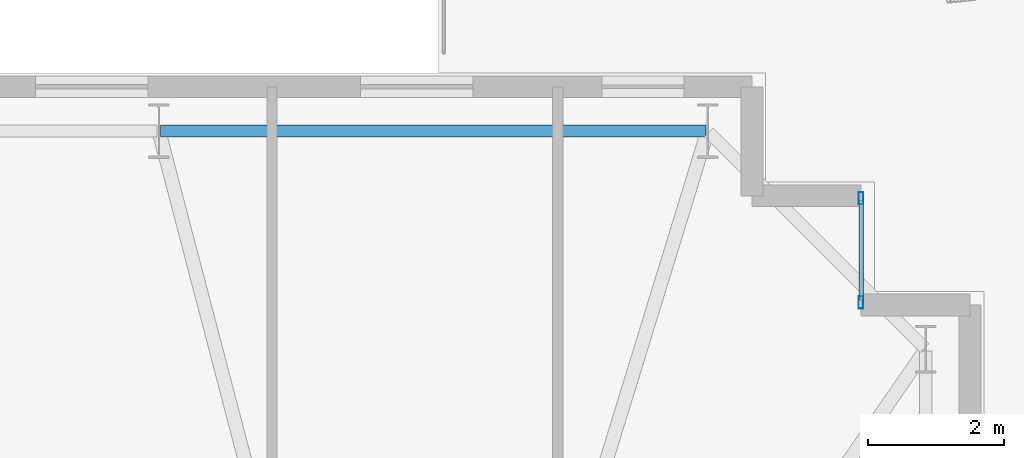
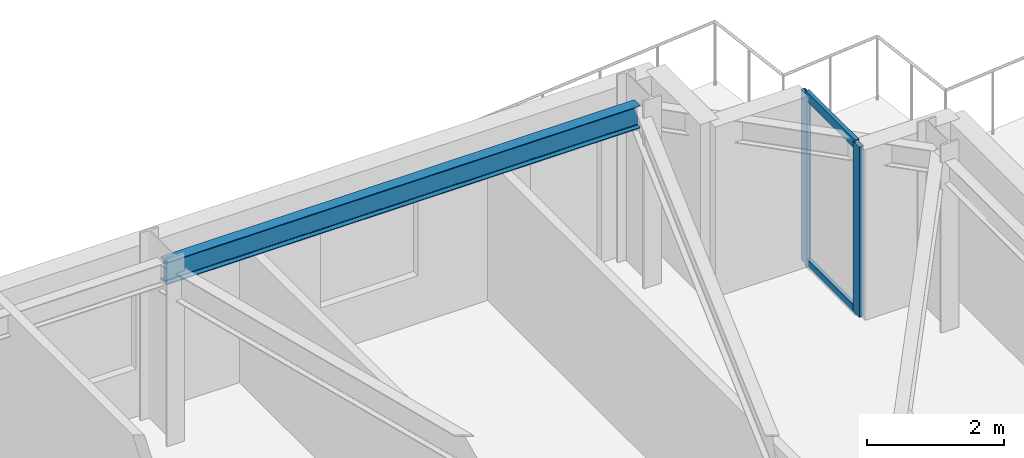
# One storey, part 9 of 19: 4 members, 1 beam, 1 element without a shape of its own.
"""IFC4 building model written with IfcOpenShell, lengths in metres."""

from ifc_helpers import new_model, si_unit, direction, frame, origin, origin_2d, place, context, subcontext, project, spatial, hollow_rectangle, i_section, extrude, material, layer, layer_set, material_profile, profile_set, type_object, element, aggregate, save


model = new_model("IFC4")

# Units and contexts
model_context = context("Model", 3, precision=1e-05, world=origin(), true_north=direction((0.0, 1.0)))
body_context = subcontext(model_context, "Body", "Model", "MODEL_VIEW")
ifc_project = project(units=[si_unit("LENGTHUNIT", "METRE"), si_unit("AREAUNIT", "SQUARE_METRE"), si_unit("VOLUMEUNIT", "CUBIC_METRE"), si_unit("PLANEANGLEUNIT", "RADIAN"), si_unit("MASSUNIT", "GRAM", prefix="KILO")], contexts=[model_context])

# Site, building, storey
site_placement = place(None, origin())
site = spatial("IfcSite", under=ifc_project, at=site_placement, CompositionType="ELEMENT")
building_placement = place(site_placement, origin())
building = spatial("IfcBuilding", under=site, at=building_placement, Name="Qobustan Lattice House", CompositionType="ELEMENT")
storey_placement = place(building_placement, frame((0.0, 0.0, 131.0)))
storey = spatial("IfcBuildingStorey", under=building, at=storey_placement, Name="L36", CompositionType="ELEMENT", Elevation=131.0)

# Beam
ifc_material_1 = material(Name="Steel S355", Category="steel")
ifc_material_profile_1 = material_profile(ifc_material_1, i_section(OverallWidth=0.179931640625, OverallDepth=0.39990234375, WebThickness=0.008544921875, FlangeThickness=0.013427734375, FilletRadius=0.02099609375, at=origin_2d()), Name="IPE400")
ifc_profile_set_1 = profile_set([ifc_material_profile_1], Name="Steel S355")
beam_type = type_object("IfcBeamType", Name="BM-SPD-IPE400", PredefinedType="SPANDREL", material=ifc_profile_set_1)
beam_placement = place(storey_placement, frame((23.125, 19.75, 2.840087890625), z_axis=(-1.0, 0.0, 0.0), x_axis=(0.0, -1.0, 0.0)))
element("IfcBeam", 1, at=beam_placement, inside=storey, type_object=beam_type, Name="L36 perimeter spandrel N1-N2", PredefinedType="SPANDREL", context=body_context, shape_type="SweptSolid", body=[
    extrude(i_section(OverallWidth=0.179931640625, OverallDepth=0.39990234375, WebThickness=0.008544921875, FlangeThickness=0.013427734375, FilletRadius=0.02099609375, at=origin_2d()), origin(), (0.0, 0.0, 1.0), 8.0),
])

# Curtain wall, members
ifc_material_2 = material(Name="Anodised aluminium and low-E glazing", Category="aluminium")
ifc_layer = layer(ifc_material_2, 0.219970703125)
ifc_layer_set = layer_set([ifc_layer], Name="Anodised aluminium and low-E glazing")
curtain_wall_type = type_object("IfcCurtainWallType", Name="CW-FAC-02", PredefinedType="USERDEFINED", material=ifc_layer_set)
curtain_wall_placement = place(storey_placement, origin())
curtain_wall = element("IfcCurtainWall", 2, at=curtain_wall_placement, inside=storey, type_object=curtain_wall_type, Name="L36 serrated corner faceted glazing 13", ObjectType="CURTAIN WALL", PredefinedType="USERDEFINED")
ifc_material_3 = material(Name="Anodised aluminium EN AW-6063 T6", Category="aluminium")
ifc_material_profile_2 = material_profile(ifc_material_3, hollow_rectangle(XDim=0.070068359375, YDim=0.179931640625, WallThickness=0.00439453125, at=origin_2d()), Name="CWM-180x70")
ifc_profile_set_2 = profile_set([ifc_material_profile_2], Name="Anodised aluminium EN AW-6063 T6")
member_type_1 = type_object("IfcMemberType", Name="CWM-STD-180", PredefinedType="MULLION", material=ifc_profile_set_2)
member_1_placement = place(storey_placement, frame((25.39990234375, 18.764892578125, 0.0), z_axis=(0.0, 0.0, 1.0), x_axis=(1.0, 0.0, 0.0)))
member_1 = element("IfcMember", 3, at=member_1_placement, type_object=member_type_1, Name="CW-F2 mullion 1", PredefinedType="MULLION", context=body_context, shape_type="SweptSolid", body=[
    extrude(hollow_rectangle(XDim=0.070068359375, YDim=0.179931640625, WallThickness=0.00439453125, at=origin_2d()), origin(), (0.0, 0.0, 1.0), 3.0400390625),
])
member_2_placement = place(storey_placement, frame((25.39990234375, 17.235107421875, 0.0), z_axis=(0.0, 0.0, 1.0), x_axis=(1.0, 0.0, 0.0)))
member_2 = element("IfcMember", 4, at=member_2_placement, type_object=member_type_1, Name="CW-F2 mullion 2", PredefinedType="MULLION", context=body_context, shape_type="SweptSolid", body=[
    extrude(hollow_rectangle(XDim=0.070068359375, YDim=0.179931640625, WallThickness=0.00439453125, at=origin_2d()), origin(), (0.0, 0.0, 1.0), 3.0400390625),
])
ifc_material_4 = material(Name="Anodised aluminium EN AW-6063 T6", Category="aluminium")
ifc_material_profile_3 = material_profile(ifc_material_4, hollow_rectangle(XDim=0.06494140625, YDim=0.159912109375, WallThickness=0.00390625, at=origin_2d()), Name="CWT-160x65")
ifc_profile_set_3 = profile_set([ifc_material_profile_3], Name="Anodised aluminium EN AW-6063 T6")
member_type_2 = type_object("IfcMemberType", Name="CWT-HOR-160", PredefinedType="USERDEFINED", material=ifc_profile_set_3)
member_3_placement = place(storey_placement, frame((25.39990234375, 18.72998046875, 0.032470703125), z_axis=(0.0, -1.0, 0.0), x_axis=(1.0, 0.0, 0.0)))
member_3 = element("IfcMember", 5, at=member_3_placement, type_object=member_type_2, Name="CW-F2 transom 1.1", ObjectType="TRANSOM", PredefinedType="USERDEFINED", context=body_context, shape_type="SweptSolid", body=[
    extrude(hollow_rectangle(XDim=0.06494140625, YDim=0.159912109375, WallThickness=0.00390625, at=origin_2d()), origin(), (0.0, 0.0, 1.0), 1.4599609375),
])
member_4_placement = place(storey_placement, frame((25.39990234375, 18.72998046875, 3.007568359375), z_axis=(0.0, -1.0, 0.0), x_axis=(1.0, 0.0, 0.0)))
member_4 = element("IfcMember", 6, at=member_4_placement, type_object=member_type_2, Name="CW-F2 transom 1.2", ObjectType="TRANSOM", PredefinedType="USERDEFINED", context=body_context, shape_type="SweptSolid", body=[
    extrude(hollow_rectangle(XDim=0.06494140625, YDim=0.159912109375, WallThickness=0.00390625, at=origin_2d()), origin(), (0.0, 0.0, 1.0), 1.4599609375),
])
aggregate(curtain_wall, [member_1, member_2, member_3, member_4])

save(model, "model.ifc")
